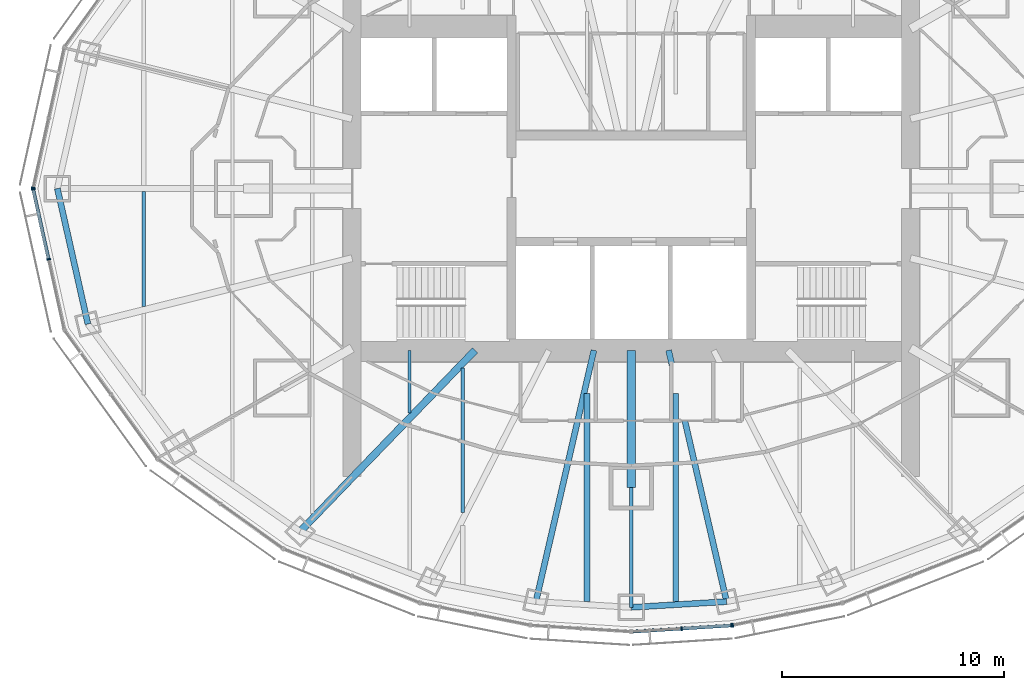
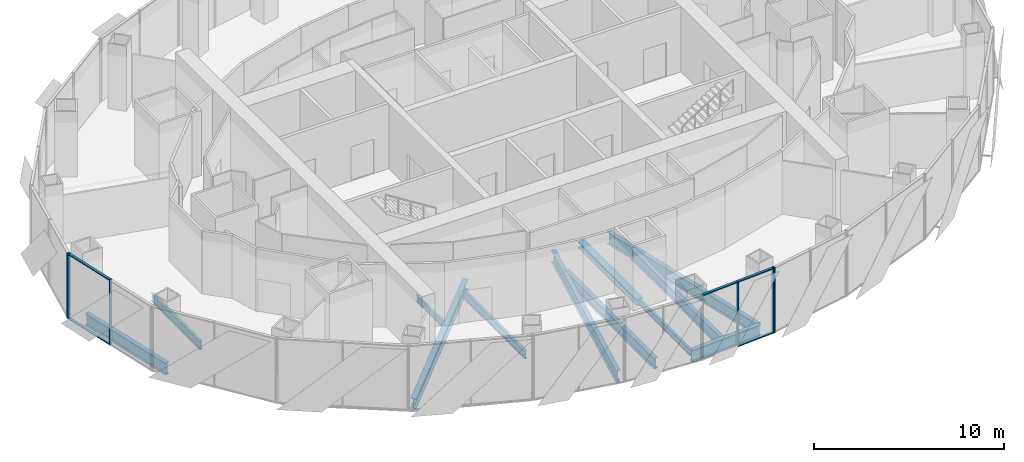
# One storey, part 3 of 17: 12 beams, 11 members, 4 elements without a shape of their own.
"""IFC4 building model written with IfcOpenShell, lengths in metres."""

from ifc_helpers import new_model, si_unit, direction, frame, origin, origin_2d, place, context, subcontext, project, spatial, rectangle, i_section, extrude, material, material_profile, profile_set, type_object, element, aggregate, save


model = new_model("IFC4")

# Units and contexts
model_context = context("Model", 3, precision=1e-05, world=origin(), true_north=direction((0.0, 1.0)))
body_context = subcontext(model_context, "Body", "Model", "MODEL_VIEW")
ifc_project = project(units=[si_unit("LENGTHUNIT", "METRE"), si_unit("AREAUNIT", "SQUARE_METRE"), si_unit("VOLUMEUNIT", "CUBIC_METRE"), si_unit("PLANEANGLEUNIT", "RADIAN"), si_unit("MASSUNIT", "GRAM", prefix="KILO")], contexts=[model_context])

# Site, building, storey
site_placement = place(None, origin())
site = spatial("IfcSite", under=ifc_project, at=site_placement, CompositionType="ELEMENT")
building_placement = place(site_placement, origin())
building = spatial("IfcBuilding", under=site, at=building_placement, Name="Lantaw Convention Tower", CompositionType="ELEMENT")
storey_placement = place(building_placement, frame((0.0, 0.0, 211.60009765625)))
storey = spatial("IfcBuildingStorey", under=building, at=storey_placement, Name="L49", CompositionType="ELEMENT", Elevation=211.60009765625)

# Beams
ifc_material_1 = material(Name="Steel ASTM A992", Category="steel")
ifc_material_profile_1 = material_profile(ifc_material_1, i_section(OverallWidth=0.2666015625, OverallDepth=0.76953125, WebThickness=0.015625, FlangeThickness=0.025390625, FilletRadius=0.0126953125, at=origin_2d()), Name="W30X132")
ifc_profile_set_1 = profile_set([ifc_material_profile_1], Name="Steel ASTM A992")
beam_type_1 = type_object("IfcBeamType", Name="Beam E W30X132", PredefinedType="SPANDREL", material=ifc_profile_set_1)
beam_1_placement = place(storey_placement, frame((-25.89990234375, 0.0, -0.534912109375), z_axis=(0.219857926596, -0.97553190215, 0.0), x_axis=(0.97553190215, 0.219857926596, 0.0)))
element("IfcBeam", 1, at=beam_1_placement, inside=storey, type_object=beam_type_1, Name="Edge beam 13", PredefinedType="SPANDREL", context=body_context, shape_type="SweptSolid", body=[
    extrude(i_section(OverallWidth=0.2666015625, OverallDepth=0.76953125, WebThickness=0.015625, FlangeThickness=0.025390625, FilletRadius=0.0126953125, at=origin_2d()), origin(), (0.0, 0.0, 1.0), 6.267333984375),
])
beam_2_placement = place(storey_placement, frame((0.0, -18.89990234375, -0.534912109375), z_axis=(0.998210730897, 0.059794119452, 0.0), x_axis=(-0.059794119452, 0.998210730897, 0.0)))
element("IfcBeam", 2, at=beam_2_placement, inside=storey, type_object=beam_type_1, Name="Edge beam 19", PredefinedType="SPANDREL", context=body_context, shape_type="SweptSolid", body=[
    extrude(i_section(OverallWidth=0.2666015625, OverallDepth=0.76953125, WebThickness=0.015625, FlangeThickness=0.025390625, FilletRadius=0.0126953125, at=origin_2d()), origin(), (0.0, 0.0, 1.0), 4.311767578125),
])
ifc_material_profile_2 = material_profile(ifc_material_1, i_section(OverallWidth=0.140380859375, OverallDepth=0.40380859375, WebThickness=0.007080078125, FlangeThickness=0.01123046875, FilletRadius=0.01025390625, at=origin_2d()), Name="W16X31")
ifc_profile_set_2 = profile_set([ifc_material_profile_2], Name="Steel ASTM A992")
beam_type_2 = type_object("IfcBeamType", Name="Beam G W16X31", PredefinedType="BEAM", material=ifc_profile_set_2)
beam_3_placement = place(storey_placement, frame((0.0, -13.5, -0.35205078125), z_axis=(0.0, -1.0, 0.0), x_axis=(1.0, 0.0, 0.0)))
element("IfcBeam", 3, at=beam_3_placement, inside=storey, type_object=beam_type_2, Name="Floor girder on ray 19", PredefinedType="BEAM", context=body_context, shape_type="SweptSolid", body=[
    extrude(i_section(OverallWidth=0.140380859375, OverallDepth=0.40380859375, WebThickness=0.007080078125, FlangeThickness=0.01123046875, FilletRadius=0.01025390625, at=origin_2d()), origin(), (0.0, 0.0, 1.0), 5.39990234375),
])
ifc_material_profile_3 = material_profile(ifc_material_1, i_section(OverallWidth=0.32763671875, OverallDepth=0.64013671875, WebThickness=0.01904296875, FlangeThickness=0.033935546875, FilletRadius=0.0126953125, at=origin_2d()), Name="W24X176")
ifc_profile_set_3 = profile_set([ifc_material_profile_3], Name="Steel ASTM A992")
beam_type_3 = type_object("IfcBeamType", Name="Beam G W24X176", PredefinedType="BEAM", material=ifc_profile_set_3)
beam_4_placement = place(storey_placement, frame((-7.049560546875, -7.300048828125, -0.47021484375), z_axis=(-0.694657766726, -0.719340383356, 0.0), x_axis=(0.719340383356, -0.694657766726, 0.0)))
element("IfcBeam", 4, at=beam_4_placement, inside=storey, type_object=beam_type_3, Name="Floor girder on ray 16", PredefinedType="BEAM", context=body_context, shape_type="SweptSolid", body=[
    extrude(i_section(OverallWidth=0.32763671875, OverallDepth=0.64013671875, WebThickness=0.01904296875, FlangeThickness=0.033935546875, FilletRadius=0.0126953125, at=origin_2d()), origin(), (0.0, 0.0, 1.0), 11.364990234375),
])
ifc_material_profile_4 = material_profile(ifc_material_1, i_section(OverallWidth=0.2666015625, OverallDepth=0.7568359375, WebThickness=0.013916015625, FlangeThickness=0.019287109375, FilletRadius=0.0126953125, at=origin_2d()), Name="W30X108")
ifc_profile_set_4 = profile_set([ifc_material_profile_4], Name="Steel ASTM A992")
beam_type_4 = type_object("IfcBeamType", Name="Beam G W30X108", PredefinedType="BEAM", material=ifc_profile_set_4)
for number, where, z_axis, x_axis, name in (
    (5, (-1.685302734375, -7.300048828125, -0.528564453125), (-0.224962134377, -0.974367506692, 0.0), (0.974367506692, -0.224962134377, 0.0), "Floor girder on ray 18"),
    (6, (1.685302734375, -7.300048828125, -0.528564453125), (0.224962134377, -0.974367506692, 0.0), (0.974367506692, 0.224962134377, 0.0), "Floor girder on ray 20"),
):
    element("IfcBeam", number, at=place(storey_placement, frame(where, z_axis=z_axis, x_axis=x_axis)), inside=storey, type_object=beam_type_4, Name=name, PredefinedType="BEAM", context=body_context, shape_type="SweptSolid", body=[
        extrude(i_section(OverallWidth=0.2666015625, OverallDepth=0.7568359375, WebThickness=0.013916015625, FlangeThickness=0.019287109375, FilletRadius=0.0126953125, at=origin_2d()), origin(), (0.0, 0.0, 1.0), 11.640380859375),
    ])
ifc_material_profile_5 = material_profile(ifc_material_1, i_section(OverallWidth=0.40380859375, OverallDepth=0.406494140625, WebThickness=0.027099609375, FlangeThickness=0.043701171875, FilletRadius=0.01513671875, at=origin_2d()), Name="W14X233")
ifc_profile_set_5 = profile_set([ifc_material_profile_5], Name="Steel ASTM A992")
beam_type_5 = type_object("IfcBeamType", Name="Beam GM W14X233", PredefinedType="BEAM", material=ifc_profile_set_5)
beam_5_placement = place(storey_placement, frame((0.0, -7.300048828125, -0.353271484375), z_axis=(0.0, -1.0, 0.0), x_axis=(1.0, 0.0, 0.0)))
element("IfcBeam", 7, at=beam_5_placement, inside=storey, type_object=beam_type_5, Name="Core link beam on ray 19", PredefinedType="BEAM", context=body_context, shape_type="SweptSolid", body=[
    extrude(i_section(OverallWidth=0.40380859375, OverallDepth=0.406494140625, WebThickness=0.027099609375, FlangeThickness=0.043701171875, FilletRadius=0.01513671875, at=origin_2d()), origin(), (0.0, 0.0, 1.0), 6.199951171875),
])
ifc_material_profile_6 = material_profile(ifc_material_1, i_section(OverallWidth=0.140380859375, OverallDepth=0.40380859375, WebThickness=0.007080078125, FlangeThickness=0.01123046875, FilletRadius=0.01025390625, at=origin_2d()), Name="W16X31")
ifc_profile_set_6 = profile_set([ifc_material_profile_6], Name="Steel ASTM A992")
beam_type_6 = type_object("IfcBeamType", Name="Beam J W16X31", PredefinedType="JOIST", material=ifc_profile_set_6)
beam_6_placement = place(storey_placement, frame((-10.0, -10.119384765625, -0.35205078125), z_axis=(0.0, 1.0, 0.0), x_axis=(-1.0, 0.0, 0.0)))
element("IfcBeam", 8, at=beam_6_placement, inside=storey, type_object=beam_type_6, Name="Floor joist", PredefinedType="JOIST", context=body_context, shape_type="SweptSolid", body=[
    extrude(i_section(OverallWidth=0.140380859375, OverallDepth=0.40380859375, WebThickness=0.007080078125, FlangeThickness=0.01123046875, FilletRadius=0.01025390625, at=origin_2d()), origin(), (0.0, 0.0, 1.0), 2.8193359375),
])
ifc_material_profile_7 = material_profile(ifc_material_1, i_section(OverallWidth=0.1650390625, OverallDepth=0.52587890625, WebThickness=0.0087890625, FlangeThickness=0.011474609375, FilletRadius=0.0126953125, at=origin_2d()), Name="W21X44")
ifc_profile_set_7 = profile_set([ifc_material_profile_7], Name="Steel ASTM A992")
beam_type_7 = type_object("IfcBeamType", Name="Beam J W21X44", PredefinedType="JOIST", material=ifc_profile_set_7)
beam_7_placement = place(storey_placement, frame((-22.0, -5.326904296875, -0.4130859375), z_axis=(0.0, 1.0, 0.0), x_axis=(-1.0, 0.0, 0.0)))
element("IfcBeam", 9, at=beam_7_placement, inside=storey, type_object=beam_type_7, Name="Floor joist", PredefinedType="JOIST", context=body_context, shape_type="SweptSolid", body=[
    extrude(i_section(OverallWidth=0.1650390625, OverallDepth=0.52587890625, WebThickness=0.0087890625, FlangeThickness=0.011474609375, FilletRadius=0.0126953125, at=origin_2d()), origin(), (0.0, 0.0, 1.0), 5.199951171875),
])
beam_8_placement = place(storey_placement, frame((-7.60009765625, -14.6220703125, -0.4130859375), z_axis=(0.0, 1.0, 0.0), x_axis=(-1.0, 0.0, 0.0)))
element("IfcBeam", 10, at=beam_8_placement, inside=storey, type_object=beam_type_7, Name="Floor joist", PredefinedType="JOIST", context=body_context, shape_type="SweptSolid", body=[
    extrude(i_section(OverallWidth=0.1650390625, OverallDepth=0.52587890625, WebThickness=0.0087890625, FlangeThickness=0.011474609375, FilletRadius=0.0126953125, at=origin_2d()), origin(), (0.0, 0.0, 1.0), 6.51611328125),
])
ifc_material_profile_8 = material_profile(ifc_material_1, i_section(OverallWidth=0.25390625, OverallDepth=0.683349609375, WebThickness=0.012451171875, FlangeThickness=0.01904296875, FilletRadius=0.01513671875, at=origin_2d()), Name="W27X94")
ifc_profile_set_8 = profile_set([ifc_material_profile_8], Name="Steel ASTM A992")
beam_type_8 = type_object("IfcBeamType", Name="Beam J W27X94", PredefinedType="JOIST", material=ifc_profile_set_8)
for number, where, z_axis, x_axis, name in (
    (11, (-2.0, -18.646484375, -0.49169921875), (0.0, 1.0, 0.0), (-1.0, 0.0, 0.0), "Floor joist"),
    (12, (2.0, -18.646484375, -0.49169921875), (0.0, 1.0, 0.0), (-1.0, 0.0, 0.0), "Floor joist"),
):
    element("IfcBeam", number, at=place(storey_placement, frame(where, z_axis=z_axis, x_axis=x_axis)), inside=storey, type_object=beam_type_8, Name=name, PredefinedType="JOIST", context=body_context, shape_type="SweptSolid", body=[
        extrude(i_section(OverallWidth=0.25390625, OverallDepth=0.683349609375, WebThickness=0.012451171875, FlangeThickness=0.01904296875, FilletRadius=0.01513671875, at=origin_2d()), origin(), (0.0, 0.0, 1.0), 9.390625),
    ])

# Curtain wall, member
ifc_material_2 = material(Name="Aluminium framed curtain wall", Category="aluminium")
curtain_wall_type = type_object("IfcCurtainWallType", Name="Office curtain wall high rise, pale aluminium", PredefinedType="USERDEFINED", material=ifc_material_2)
curtain_wall_1_placement = place(storey_placement, origin())
curtain_wall_1 = element("IfcCurtainWall", 13, at=curtain_wall_1_placement, inside=storey, type_object=curtain_wall_type, Name="Office curtain wall high rise, pale aluminium L49", ObjectType="UNITISED CURTAIN WALL", PredefinedType="USERDEFINED")
ifc_material_3 = material(Name="Aluminium 6063-T6", Category="aluminium")
ifc_material_profile_9 = material_profile(ifc_material_3, rectangle(XDim=0.179931640625, YDim=0.06494140625, at=origin_2d()), Name="CW-O2 mullion 65x180")
ifc_profile_set_9 = profile_set([ifc_material_profile_9], Name="Aluminium 6063-T6")
member_type_1 = type_object("IfcMemberType", Name="CW-O2 mullion 65x180", PredefinedType="MULLION", material=ifc_profile_set_9)
member_1_placement = place(storey_placement, frame((-26.992919921875, 0.03173828125, -0.150146484375), z_axis=(0.0, 0.0, 1.0), x_axis=(0.976417396437, -0.215891333626, 0.0)))
member_1 = element("IfcMember", 14, at=member_1_placement, type_object=member_type_1, Name="CW-O2 mullion 3", PredefinedType="MULLION", context=body_context, shape_type="SweptSolid", body=[
    extrude(rectangle(XDim=0.179931640625, YDim=0.06494140625, at=origin_2d()), origin(), (0.0, 0.0, 1.0), 4.199951171875),
])
aggregate(curtain_wall_1, [member_1])

# Curtain wall, members
curtain_wall_2_placement = place(storey_placement, origin())
curtain_wall_2 = element("IfcCurtainWall", 15, at=curtain_wall_2_placement, inside=storey, type_object=curtain_wall_type, Name="Office curtain wall high rise, pale aluminium L49", ObjectType="UNITISED CURTAIN WALL", PredefinedType="USERDEFINED")
member_2_placement = place(storey_placement, frame((-26.992919921875, -0.03173828125, -0.150146484375), z_axis=(0.0, 0.0, 1.0), x_axis=(0.976417396437, 0.215891333626, 0.0)))
member_2 = element("IfcMember", 16, at=member_2_placement, type_object=member_type_1, Name="CW-O2 mullion 1", PredefinedType="MULLION", context=body_context, shape_type="SweptSolid", body=[
    extrude(rectangle(XDim=0.179931640625, YDim=0.06494140625, at=origin_2d()), origin(), (0.0, 0.0, 1.0), 4.199951171875),
])
member_3_placement = place(storey_placement, frame((-26.294677734375, -3.190185546875, -0.150146484375), z_axis=(0.0, 0.0, 1.0), x_axis=(0.976417396437, 0.215891333626, 0.0)))
member_3 = element("IfcMember", 17, at=member_3_placement, type_object=member_type_1, Name="CW-O2 mullion 2", PredefinedType="MULLION", context=body_context, shape_type="SweptSolid", body=[
    extrude(rectangle(XDim=0.179931640625, YDim=0.06494140625, at=origin_2d()), origin(), (0.0, 0.0, 1.0), 4.199951171875),
])

curtain_wall_3_placement = place(storey_placement, origin())
curtain_wall_3 = element("IfcCurtainWall", 18, at=curtain_wall_3_placement, inside=storey, type_object=curtain_wall_type, Name="Office curtain wall high rise, pale aluminium L49", ObjectType="UNITISED CURTAIN WALL", PredefinedType="USERDEFINED")
member_4_placement = place(storey_placement, frame((2.275634765625, -19.85693359375, -0.150146484375), z_axis=(0.0, 0.0, 1.0), x_axis=(-0.062757983884, 0.998028774865, 0.0)))
member_4 = element("IfcMember", 19, at=member_4_placement, type_object=member_type_1, Name="CW-O2 mullion 2", PredefinedType="MULLION", context=body_context, shape_type="SweptSolid", body=[
    extrude(rectangle(XDim=0.179931640625, YDim=0.06494140625, at=origin_2d()), origin(), (0.0, 0.0, 1.0), 4.199951171875),
])
member_5_placement = place(storey_placement, frame((4.518798828125, -19.7158203125, -0.150146484375), z_axis=(0.0, 0.0, 1.0), x_axis=(-0.062757983884, 0.998028774865, 0.0)))
member_5 = element("IfcMember", 20, at=member_5_placement, type_object=member_type_1, Name="CW-O2 mullion 3", PredefinedType="MULLION", context=body_context, shape_type="SweptSolid", body=[
    extrude(rectangle(XDim=0.179931640625, YDim=0.06494140625, at=origin_2d()), origin(), (0.0, 0.0, 1.0), 4.199951171875),
])

# Curtain wall, member
curtain_wall_4_placement = place(storey_placement, origin())
curtain_wall_4 = element("IfcCurtainWall", 21, at=curtain_wall_4_placement, inside=storey, type_object=curtain_wall_type, Name="Office curtain wall high rise, pale aluminium L49", ObjectType="UNITISED CURTAIN WALL", PredefinedType="USERDEFINED")
member_6_placement = place(storey_placement, frame((4.583251953125, -19.70751953125, -0.150146484375), z_axis=(0.0, 0.0, 1.0), x_axis=(-0.197183095987, 0.980366679695, 0.0)))
member_6 = element("IfcMember", 22, at=member_6_placement, type_object=member_type_1, Name="CW-O2 mullion 1", PredefinedType="MULLION", context=body_context, shape_type="SweptSolid", body=[
    extrude(rectangle(XDim=0.179931640625, YDim=0.06494140625, at=origin_2d()), origin(), (0.0, 0.0, 1.0), 4.199951171875),
])
aggregate(curtain_wall_4, [member_6])

# Member
ifc_material_profile_10 = material_profile(ifc_material_3, rectangle(XDim=0.14990234375, YDim=0.06494140625, at=origin_2d()), Name="CW-O2 transom 65x150")
ifc_profile_set_10 = profile_set([ifc_material_profile_10], Name="Aluminium 6063-T6")
member_type_2 = type_object("IfcMemberType", Name="CW-O2 transom 65x150", PredefinedType="USERDEFINED", material=ifc_profile_set_10)
member_7_placement = place(storey_placement, frame((-26.986083984375, -0.0634765625, -0.11767578125), z_axis=(0.215894607042, -0.976416672661, 0.0), x_axis=(0.976416672661, 0.215894607042, 0.0)))
member_7 = element("IfcMember", 23, at=member_7_placement, type_object=member_type_2, Name="CW-O2 transom 1.1", ObjectType="TRANSOM", PredefinedType="USERDEFINED", context=body_context, shape_type="SweptSolid", body=[
    extrude(rectangle(XDim=0.14990234375, YDim=0.06494140625, at=origin_2d()), origin(), (0.0, 0.0, 1.0), 3.169677734375),
])

member_8_placement = place(storey_placement, frame((-26.986083984375, -0.0634765625, 4.017333984375), z_axis=(0.215894607042, -0.976416672661, 0.0), x_axis=(0.976416672661, 0.215894607042, 0.0)))
member_8 = element("IfcMember", 24, at=member_8_placement, type_object=member_type_2, Name="CW-O2 transom 1.2", ObjectType="TRANSOM", PredefinedType="USERDEFINED", context=body_context, shape_type="SweptSolid", body=[
    extrude(rectangle(XDim=0.14990234375, YDim=0.06494140625, at=origin_2d()), origin(), (0.0, 0.0, 1.0), 3.169677734375),
])

aggregate(curtain_wall_2, [member_2, member_3, member_7, member_8])

member_9_placement = place(storey_placement, frame((0.06494140625, -19.995849609375, 4.017333984375), z_axis=(0.998029003644, 0.062754345555, 0.0), x_axis=(-0.062754345555, 0.998029003644, 0.0)))
member_9 = element("IfcMember", 25, at=member_9_placement, type_object=member_type_2, Name="CW-O2 transom 1.2", ObjectType="TRANSOM", PredefinedType="USERDEFINED", context=body_context, shape_type="SweptSolid", body=[
    extrude(rectangle(XDim=0.14990234375, YDim=0.06494140625, at=origin_2d()), origin(), (0.0, 0.0, 1.0), 2.1826171875),
])

member_10_placement = place(storey_placement, frame((2.30810546875, -19.85498046875, -0.11767578125), z_axis=(0.998021991509, 0.062865765437, 0.0), x_axis=(-0.062865765437, 0.998021991509, 0.0)))
member_10 = element("IfcMember", 26, at=member_10_placement, type_object=member_type_2, Name="CW-O2 transom 2.1", ObjectType="TRANSOM", PredefinedType="USERDEFINED", context=body_context, shape_type="SweptSolid", body=[
    extrude(rectangle(XDim=0.14990234375, YDim=0.06494140625, at=origin_2d()), origin(), (0.0, 0.0, 1.0), 2.1826171875),
])

member_11_placement = place(storey_placement, frame((2.30810546875, -19.85498046875, 4.017333984375), z_axis=(0.998021991509, 0.062865765437, 0.0), x_axis=(-0.062865765437, 0.998021991509, 0.0)))
member_11 = element("IfcMember", 27, at=member_11_placement, type_object=member_type_2, Name="CW-O2 transom 2.2", ObjectType="TRANSOM", PredefinedType="USERDEFINED", context=body_context, shape_type="SweptSolid", body=[
    extrude(rectangle(XDim=0.14990234375, YDim=0.06494140625, at=origin_2d()), origin(), (0.0, 0.0, 1.0), 2.1826171875),
])

aggregate(curtain_wall_3, [member_4, member_5, member_9, member_10, member_11])

save(model, "model.ifc")
